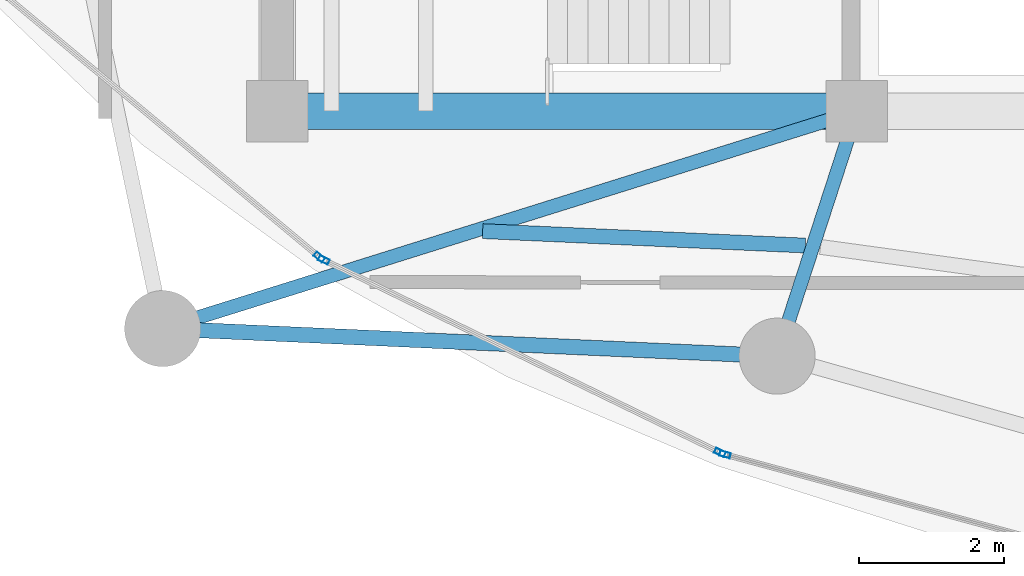
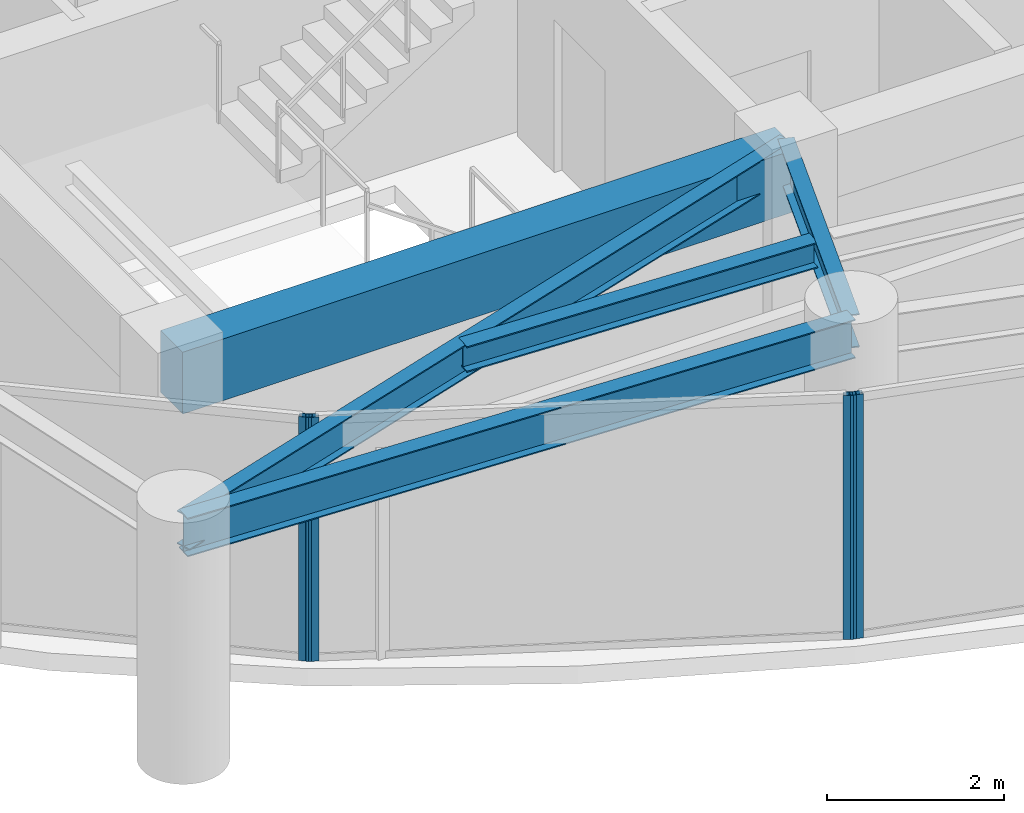
# One storey, part 2 of 29: 5 beams, 4 members, 3 elements without a shape of their own.
"""IFC4 building model written with IfcOpenShell, lengths in metres."""

from ifc_helpers import new_model, si_unit, direction, frame, origin, origin_2d, place, context, subcontext, project, spatial, rectangle, hollow_rectangle, i_section, extrude, material, layer, layer_set, material_profile, profile_set, type_object, element, aggregate, save


model = new_model("IFC4")

# Units and contexts
model_context = context("Model", 3, precision=1e-05, world=origin(), true_north=direction((0.0, 1.0)))
body_context = subcontext(model_context, "Body", "Model", "MODEL_VIEW")
ifc_project = project(units=[si_unit("LENGTHUNIT", "METRE"), si_unit("AREAUNIT", "SQUARE_METRE"), si_unit("VOLUMEUNIT", "CUBIC_METRE"), si_unit("PLANEANGLEUNIT", "RADIAN"), si_unit("MASSUNIT", "GRAM", prefix="KILO")], contexts=[model_context])

# Site, building, storey
site_placement = place(None, origin())
site = spatial("IfcSite", under=ifc_project, at=site_placement, CompositionType="ELEMENT")
building_placement = place(site_placement, origin())
building = spatial("IfcBuilding", under=site, at=building_placement, Name="Kazevale Care Tower and Concert Hall", CompositionType="ELEMENT")
storey_placement = place(building_placement, frame((0.0, 0.0, 195.60009765625)))
storey = spatial("IfcBuildingStorey", under=building, at=storey_placement, Name="L51", CompositionType="ELEMENT", Elevation=195.60009765625)

# Curtain wall, member
ifc_material_1 = material(Name="Aluminium 6063-T6 and Low-E Glass", Category="aluminium")
ifc_layer = layer(ifc_material_1, 0.179931640625)
ifc_layer_set = layer_set([ifc_layer], Name="Aluminium 6063-T6 and Low-E Glass")
curtain_wall_type = type_object("IfcCurtainWallType", Name="Sheltered Concave Balcony Curtain Wall CW-5", PredefinedType="NOTDEFINED", material=ifc_layer_set)
curtain_wall_1_placement = place(storey_placement, origin())
curtain_wall_1 = element("IfcCurtainWall", 1, at=curtain_wall_1_placement, inside=storey, type_object=curtain_wall_type, Name="cw:L51:f08", PredefinedType="NOTDEFINED")
ifc_material_2 = material(Name="Aluminium 6063-T6", Category="aluminium")
ifc_material_profile_1 = material_profile(ifc_material_2, hollow_rectangle(XDim=0.074951171875, YDim=0.14990234375, WallThickness=0.00390625, at=origin_2d()), Name="ALU75x150x4")
ifc_profile_set_1 = profile_set([ifc_material_profile_1], Name="Aluminium 6063-T6")
member_type = type_object("IfcMemberType", Name="CW-5 Mullion ALU75x150x4", PredefinedType="MULLION", material=ifc_profile_set_1)
member_1_placement = place(storey_placement, frame((28.18017578125, 18.863037109375, 0.0), z_axis=(0.0, 0.0, 1.0), x_axis=(-0.262848968947, -0.964836991167, 0.0)))
member_1 = element("IfcMember", 2, at=member_1_placement, type_object=member_type, Name="CW-5 mullion 2", PredefinedType="MULLION", context=body_context, shape_type="SweptSolid", body=[
    extrude(hollow_rectangle(XDim=0.074951171875, YDim=0.14990234375, WallThickness=0.00390625, at=origin_2d()), origin(), (0.0, 0.0, 1.0), 3.35986328125),
])
aggregate(curtain_wall_1, [member_1])

# Curtain wall, members
curtain_wall_2_placement = place(storey_placement, origin())
curtain_wall_2 = element("IfcCurtainWall", 3, at=curtain_wall_2_placement, inside=storey, type_object=curtain_wall_type, Name="cw:L51:f09", PredefinedType="NOTDEFINED")
member_2_placement = place(storey_placement, frame((28.1103515625, 18.889404296875, 0.0), z_axis=(0.0, 0.0, 1.0), x_axis=(-0.437238357087, -0.89934566163, 0.0)))
member_2 = element("IfcMember", 4, at=member_2_placement, type_object=member_type, Name="CW-5 mullion 1", PredefinedType="MULLION", context=body_context, shape_type="SweptSolid", body=[
    extrude(hollow_rectangle(XDim=0.074951171875, YDim=0.14990234375, WallThickness=0.00390625, at=origin_2d()), origin(), (0.0, 0.0, 1.0), 3.35986328125),
])
member_3_placement = place(storey_placement, frame((22.644775390625, 21.546630859375, 0.0), z_axis=(0.0, 0.0, 1.0), x_axis=(-0.437238357087, -0.89934566163, 0.0)))
member_3 = element("IfcMember", 5, at=member_3_placement, type_object=member_type, Name="CW-5 mullion 2", PredefinedType="MULLION", context=body_context, shape_type="SweptSolid", body=[
    extrude(hollow_rectangle(XDim=0.074951171875, YDim=0.14990234375, WallThickness=0.00390625, at=origin_2d()), origin(), (0.0, 0.0, 1.0), 3.35986328125),
])
aggregate(curtain_wall_2, [member_2, member_3])

# Curtain wall, member
curtain_wall_3_placement = place(storey_placement, origin())
curtain_wall_3 = element("IfcCurtainWall", 6, at=curtain_wall_3_placement, inside=storey, type_object=curtain_wall_type, Name="cw:L51:f10", PredefinedType="NOTDEFINED")
member_4_placement = place(storey_placement, frame((22.582275390625, 21.5869140625, 0.0), z_axis=(0.0, 0.0, 1.0), x_axis=(-0.639961217204, -0.768407210062, 0.0)))
member_4 = element("IfcMember", 7, at=member_4_placement, type_object=member_type, Name="CW-5 mullion 1", PredefinedType="MULLION", context=body_context, shape_type="SweptSolid", body=[
    extrude(hollow_rectangle(XDim=0.074951171875, YDim=0.14990234375, WallThickness=0.00390625, at=origin_2d()), origin(), (0.0, 0.0, 1.0), 3.35986328125),
])
aggregate(curtain_wall_3, [member_4])

# Beams
ifc_material_3 = material(Name="Concrete C60", Category="concrete")
ifc_material_profile_2 = material_profile(ifc_material_3, rectangle(XDim=0.5, YDim=0.85009765625, at=origin_2d()), Name="RC-B500x850")
ifc_profile_set_2 = profile_set([ifc_material_profile_2], Name="Concrete C60")
beam_type_1 = type_object("IfcBeamType", Name="Core Coupling Beam RC500x850", PredefinedType="LINTEL", material=ifc_profile_set_2)
beam_1_placement = place(storey_placement, frame((22.0, 23.60009765625, 2.934814453125), z_axis=(1.0, 0.0, 0.0), x_axis=(0.0, 1.0, 0.0)))
element("IfcBeam", 8, at=beam_1_placement, inside=storey, type_object=beam_type_1, Name="beam:L51:coretie:1", PredefinedType="LINTEL", context=body_context, shape_type="SweptSolid", body=[
    extrude(rectangle(XDim=0.5, YDim=0.85009765625, at=origin_2d()), origin(), (0.0, 0.0, 1.0), 8.0),
])
ifc_material_4 = material(Name="Steel ASTM A572 Gr 50", Category="steel")
ifc_material_profile_3 = material_profile(ifc_material_4, i_section(OverallWidth=0.19091796875, OverallDepth=0.4599609375, WebThickness=0.010009765625, FlangeThickness=0.01611328125, at=origin_2d()), Name="W460x82")
ifc_profile_set_3 = profile_set([ifc_material_profile_3], Name="Steel ASTM A572 Gr 50")
beam_type_2 = type_object("IfcBeamType", Name="Radial Floor Beam W460x82", PredefinedType="BEAM", material=ifc_profile_set_3)
beam_2_placement = place(storey_placement, frame((30.0, 23.60009765625, 3.1298828125), z_axis=(-0.954303255322, -0.298839918486, 0.0), x_axis=(0.298839918486, -0.954303255322, 0.0)))
element("IfcBeam", 9, at=beam_2_placement, inside=storey, type_object=beam_type_2, Name="beam:L51:rad:10", PredefinedType="BEAM", context=body_context, shape_type="SweptSolid", body=[
    extrude(i_section(OverallWidth=0.19091796875, OverallDepth=0.4599609375, WebThickness=0.010009765625, FlangeThickness=0.01611328125, at=origin_2d()), origin(), (0.0, 0.0, 1.0), 10.038818359375),
])
beam_3_placement = place(storey_placement, frame((30.0, 23.60009765625, 3.1298828125), z_axis=(-0.309482065101, -0.950905279921, 0.0), x_axis=(0.950905279921, -0.309482065101, 0.0)))
element("IfcBeam", 10, at=beam_3_placement, inside=storey, type_object=beam_type_2, Name="beam:L51:rad:11", PredefinedType="BEAM", context=body_context, shape_type="SweptSolid", body=[
    extrude(i_section(OverallWidth=0.19091796875, OverallDepth=0.4599609375, WebThickness=0.010009765625, FlangeThickness=0.01611328125, at=origin_2d()), origin(), (0.0, 0.0, 1.0), 3.5546875),
])
ifc_material_profile_4 = material_profile(ifc_material_4, i_section(OverallWidth=0.205078125, OverallDepth=0.35400390625, WebThickness=0.009521484375, FlangeThickness=0.016845703125, at=origin_2d()), Name="W360x79")
ifc_profile_set_4 = profile_set([ifc_material_profile_4], Name="Steel ASTM A572 Gr 50")
beam_type_3 = type_object("IfcBeamType", Name="Secondary Floor Joist W360x79", PredefinedType="JOIST", material=ifc_profile_set_4)
beam_4_placement = place(storey_placement, frame((24.8359375, 21.945068359375, 3.182861328125), z_axis=(0.999003687274, -0.044627713502, 0.0), x_axis=(0.044627713502, 0.999003687274, 0.0)))
element("IfcBeam", 11, at=beam_4_placement, inside=storey, type_object=beam_type_3, Name="beam:L51:joist:10", PredefinedType="JOIST", context=body_context, shape_type="SweptSolid", body=[
    extrude(i_section(OverallWidth=0.205078125, OverallDepth=0.35400390625, WebThickness=0.009521484375, FlangeThickness=0.016845703125, at=origin_2d()), origin(), (0.0, 0.0, 1.0), 4.45849609375),
])
ifc_material_profile_5 = material_profile(ifc_material_4, i_section(OverallWidth=0.208984375, OverallDepth=0.532958984375, WebThickness=0.01025390625, FlangeThickness=0.015625, at=origin_2d()), Name="W530x92")
ifc_profile_set_5 = profile_set([ifc_material_profile_5], Name="Steel ASTM A572 Gr 50")
beam_type_4 = type_object("IfcBeamType", Name="Upper Ring Beam W530x92", PredefinedType="BEAM", material=ifc_profile_set_5)
beam_5_placement = place(storey_placement, frame((20.419921875, 20.60009765625, 3.093505859375), z_axis=(0.998996808771, -0.044781425441, 0.0), x_axis=(0.044781425441, 0.998996808771, 0.0)))
element("IfcBeam", 12, at=beam_5_placement, inside=storey, type_object=beam_type_4, Name="beam:L51:ring:10", PredefinedType="BEAM", context=body_context, shape_type="SweptSolid", body=[
    extrude(i_section(OverallWidth=0.208984375, OverallDepth=0.532958984375, WebThickness=0.01025390625, FlangeThickness=0.015625, at=origin_2d()), origin(), (0.0, 0.0, 1.0), 8.488525390625),
])

save(model, "model.ifc")
